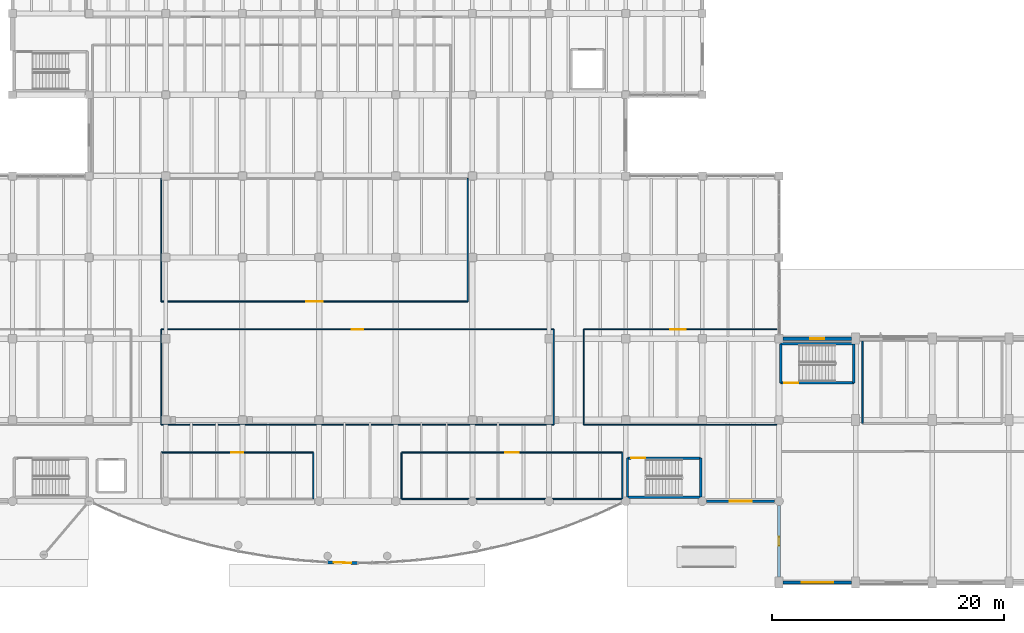
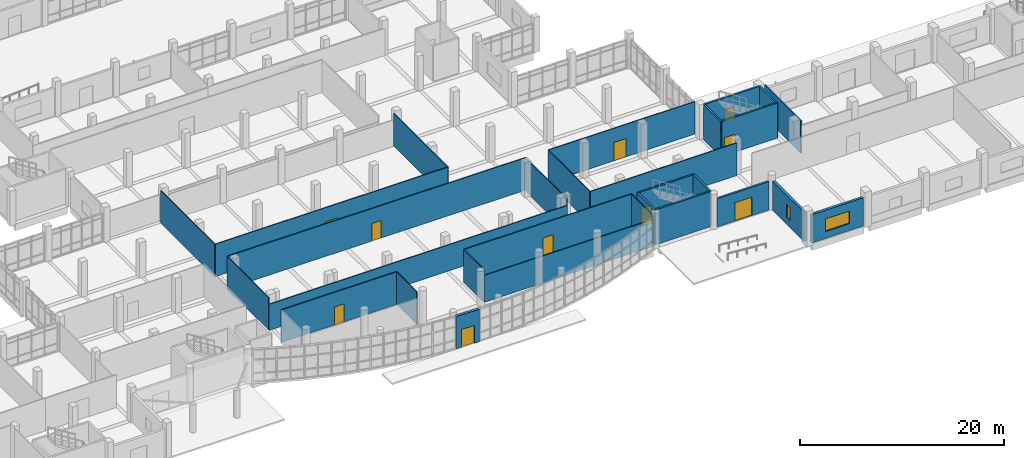
# One storey, part 46 of 69: 30 walls, 9 doors, 3 windows, 12 openings.
"""IFC4 building model written with IfcOpenShell, lengths in metres."""

from ifc_helpers import new_model, si_unit, direction, frame, frame_2d, origin, place, context, subcontext, project, spatial, rectangle, extrude, material, layer, layer_set, type_object, element, fill, save


model = new_model("IFC4")

# Units and contexts
model_context = context("Model", 3, precision=1e-05, world=origin(), true_north=direction((0.0, 1.0)))
body_context = subcontext(model_context, "Body", "Model", "MODEL_VIEW")
ifc_project = project(units=[si_unit("LENGTHUNIT", "METRE"), si_unit("AREAUNIT", "SQUARE_METRE"), si_unit("VOLUMEUNIT", "CUBIC_METRE"), si_unit("PLANEANGLEUNIT", "RADIAN"), si_unit("MASSUNIT", "GRAM", prefix="KILO")], contexts=[model_context])

# Site, building, storey
site_placement = place(None, origin())
site = spatial("IfcSite", under=ifc_project, at=site_placement, CompositionType="ELEMENT")
building_placement = place(site_placement, origin())
building = spatial("IfcBuilding", under=site, at=building_placement, Name="Ciguamira Faculty of Natural Sciences", CompositionType="ELEMENT")
storey_placement = place(building_placement, origin())
storey = spatial("IfcBuildingStorey", under=building, at=storey_placement, Name="L00", CompositionType="ELEMENT", Elevation=0.0)

# Wall, opening, window
ifc_material_1 = material(Name="Precast concrete C40/50", Category="concrete")
ifc_layer_1 = layer(ifc_material_1, 0.280029296875, Name="Precast concrete C40/50")
ifc_layer_set_1 = layer_set([ifc_layer_1], Name="Precast concrete C40/50")
wall_type_1 = type_object("IfcWallType", Name="ExtWall_EW-01_280", PredefinedType="SOLIDWALL", material=ifc_layer_set_1)
wall_1_placement = place(storey_placement, frame((123.64990234375, 3.0, 0.0), z_axis=(0.0, 0.0, 1.0), x_axis=(1.0, 0.0, 0.0)))
wall_1 = element("IfcWall", 1, at=wall_1_placement, inside=storey, type_object=wall_type_1, Name="L00 exterior wall 0071", PredefinedType="SOLIDWALL", context=body_context, shape_type="SweptSolid", body=[
    extrude(rectangle(XDim=5.900146484375, YDim=0.280029296875, at=frame_2d((2.9501953125, 0.0))), origin(), (0.0, 0.0, 1.0), 3.385009765625),
])
opening_1_placement = place(wall_1_placement, frame((1.60009765625, 0.0, 0.85009765625)))
opening_1 = element("IfcOpeningElement", 2, at=opening_1_placement, cuts=wall_1, Name="Opening WT-13", PredefinedType="OPENING", context=body_context, shape_type="SweptSolid", body=[
    extrude(rectangle(XDim=2.699951171875, YDim=1.5, at=frame_2d((1.35009765625, 0.75))), frame((0.0, 0.14990234375, 0.0), z_axis=(0.0, -1.0, 0.0), x_axis=(1.0, 0.0, 0.0)), (0.0, 0.0, 1.0), 0.300048828125),
])
ifc_material_2 = material(Name="Hurricane laminated solar glass", Category="glass")
window_type_1 = type_object("IfcWindowType", Name="Window_WT-13_2700x1500", PartitioningType="DOUBLE_PANEL_VERTICAL", PredefinedType="WINDOW", material=ifc_material_2)
window_1_placement = place(opening_1_placement, origin())
window_1 = element("IfcWindow", 3, at=window_1_placement, inside=storey, type_object=window_type_1, Name="L00 facade window 0003", OverallHeight=1.5, OverallWidth=2.699951171875, PartitioningType="SINGLE_PANEL", PredefinedType="WINDOW", context=body_context, shape_type="SweptSolid", body=[
    extrude(rectangle(XDim=2.699951171875, YDim=1.5, at=frame_2d((1.35009765625, 0.75))), frame((0.0, 0.030029296875, 0.0), z_axis=(0.0, -1.0, 0.0), x_axis=(1.0, 0.0, 0.0)), (0.0, 0.0, 1.0), 0.06005859375),
])
fill(opening_1, window_1)

wall_2_placement = place(storey_placement, frame((123.64990234375, 24.0, 0.0), z_axis=(0.0, 0.0, 1.0), x_axis=(1.0, 0.0, 0.0)))
wall_2 = element("IfcWall", 4, at=wall_2_placement, inside=storey, type_object=wall_type_1, Name="L00 exterior wall 0083", PredefinedType="SOLIDWALL", context=body_context, shape_type="SweptSolid", body=[
    extrude(rectangle(XDim=5.900146484375, YDim=0.280029296875, at=frame_2d((2.9501953125, 0.0))), origin(), (0.0, 0.0, 1.0), 3.385009765625),
])
opening_2_placement = place(wall_2_placement, frame((2.35009765625, 0.0, 0.85009765625)))
opening_2 = element("IfcOpeningElement", 5, at=opening_2_placement, cuts=wall_2, Name="Opening WT-08", PredefinedType="OPENING", context=body_context, shape_type="SweptSolid", body=[
    extrude(rectangle(XDim=1.199951171875, YDim=1.5, at=frame_2d((0.60009765625, 0.75))), frame((0.0, 0.14990234375, 0.0), z_axis=(0.0, -1.0, 0.0), x_axis=(1.0, 0.0, 0.0)), (0.0, 0.0, 1.0), 0.300048828125),
])
window_type_2 = type_object("IfcWindowType", Name="Window_WT-08_1200x1500", PartitioningType="DOUBLE_PANEL_VERTICAL", PredefinedType="WINDOW", material=ifc_material_2)
window_2_placement = place(opening_2_placement, origin())
window_2 = element("IfcWindow", 6, at=window_2_placement, inside=storey, type_object=window_type_2, Name="L00 facade window 0013", OverallHeight=1.5, OverallWidth=1.199951171875, PartitioningType="SINGLE_PANEL", PredefinedType="WINDOW", context=body_context, shape_type="SweptSolid", body=[
    extrude(rectangle(XDim=1.199951171875, YDim=1.5, at=frame_2d((0.60009765625, 0.75))), frame((0.0, 0.030029296875, 0.0), z_axis=(0.0, -1.0, 0.0), x_axis=(1.0, 0.0, 0.0)), (0.0, 0.0, 1.0), 0.06005859375),
])
fill(opening_2, window_2)

wall_3_placement = place(storey_placement, frame((123.300048828125, 3.47509765625, 0.0), z_axis=(0.0, 0.0, 1.0), x_axis=(0.0, 1.0, 0.0)))
wall_3 = element("IfcWall", 7, at=wall_3_placement, inside=storey, type_object=wall_type_1, Name="L00 exterior wall 0133", PredefinedType="SOLIDWALL", context=body_context, shape_type="SweptSolid", body=[
    extrude(rectangle(XDim=6.14990234375, YDim=0.280029296875, at=frame_2d((3.074951171875, 0.0))), origin(), (0.0, 0.0, 1.0), 3.5048828125),
])
opening_3_placement = place(wall_3_placement, frame((2.699951171875, 0.0, 0.85009765625)))
opening_3 = element("IfcOpeningElement", 8, at=opening_3_placement, cuts=wall_3, Name="Opening WT-35", PredefinedType="OPENING", context=body_context, shape_type="SweptSolid", body=[
    extrude(rectangle(XDim=0.75, YDim=1.550048828125, at=frame_2d((0.375, 0.77490234375))), frame((0.0, 0.14990234375, 0.0), z_axis=(0.0, -1.0, 0.0), x_axis=(1.0, 0.0, 0.0)), (0.0, 0.0, 1.0), 0.300048828125),
])
window_type_3 = type_object("IfcWindowType", Name="Window_WT-35_750x1550", PartitioningType="DOUBLE_PANEL_VERTICAL", PredefinedType="WINDOW", material=ifc_material_2)
window_3_placement = place(opening_3_placement, origin())
window_3 = element("IfcWindow", 9, at=window_3_placement, inside=storey, type_object=window_type_3, Name="L00 facade window 0050", OverallHeight=1.550048828125, OverallWidth=0.75, PartitioningType="SINGLE_PANEL", PredefinedType="WINDOW", context=body_context, shape_type="SweptSolid", body=[
    extrude(rectangle(XDim=0.75, YDim=1.550048828125, at=frame_2d((0.375, 0.77490234375))), frame((0.0, 0.030029296875, 0.0), z_axis=(0.0, -1.0, 0.0), x_axis=(1.0, 0.0, 0.0)), (0.0, 0.0, 1.0), 0.06005859375),
])
fill(opening_3, window_3)

# Wall, opening, door
wall_4_placement = place(storey_placement, frame((84.433349609375, 4.7412109375, 0.0), z_axis=(0.0, 0.0, 1.0), x_axis=(0.999703650964, -0.02434358743, 0.0)))
wall_4 = element("IfcWall", 10, at=wall_4_placement, inside=storey, type_object=wall_type_1, Name="L00 south arc arrival portal wall", PredefinedType="SOLIDWALL", context=body_context, shape_type="SweptSolid", body=[
    extrude(rectangle(XDim=2.5673828125, YDim=0.280029296875, at=frame_2d((1.28369140625, 0.0))), origin(), (0.0, 0.0, 1.0), 3.89990234375),
])
opening_4_placement = place(wall_4_placement, frame((0.53369140625, 0.0, 0.0)))
opening_4 = element("IfcOpeningElement", 11, at=opening_4_placement, cuts=wall_4, Name="Opening ED-09", PredefinedType="OPENING", context=body_context, shape_type="SweptSolid", body=[
    extrude(rectangle(XDim=1.5, YDim=2.14990234375, at=frame_2d((0.75, 1.074951171875))), frame((0.0, 0.14990234375, 0.0), z_axis=(0.0, -1.0, 0.0), x_axis=(1.0, 0.0, 0.0)), (0.0, 0.0, 1.0), 0.300048828125),
])
ifc_material_3 = material(Name="Court promenade entrance door")
door_type_1 = type_object("IfcDoorType", Name="ExtDoor_ED-09_1500x2150", OperationType="NOTDEFINED", PredefinedType="DOOR", material=ifc_material_3)
door_1_placement = place(opening_4_placement, frame((1.5, 0.0, 0.0), z_axis=(0.0, 0.0, 1.0), x_axis=(-1.0, 0.0, 0.0)))
door_1 = element("IfcDoor", 12, at=door_1_placement, inside=storey, type_object=door_type_1, Name="South Escarpment Canopy Entrance Door", OperationType="DOUBLE_DOOR_SINGLE_SWING", OverallHeight=2.14990234375, OverallWidth=1.5, PredefinedType="DOOR", context=body_context, shape_type="SweptSolid", body=[
    extrude(rectangle(XDim=1.5, YDim=2.14990234375, at=frame_2d((0.75, 1.074951171875))), frame((0.0, 0.02490234375, 0.0), z_axis=(0.0, -1.0, 0.0), x_axis=(1.0, 0.0, 0.0)), (0.0, 0.0, 1.0), 0.050048828125),
])
fill(opening_4, door_1)

ifc_layer_2 = layer(ifc_material_1, 0.219970703125, Name="Precast concrete C40/50")
ifc_layer_set_2 = layer_set([ifc_layer_2], Name="Precast concrete C40/50")
wall_type_2 = type_object("IfcWallType", Name="ExtWall_EW-03_220", PredefinedType="SOLIDWALL", material=ifc_layer_set_2)
wall_5_placement = place(storey_placement, frame((117.074951171875, 10.0, 0.0), z_axis=(0.0, 0.0, 1.0), x_axis=(1.0, 0.0, 0.0)))
wall_5 = element("IfcWall", 13, at=wall_5_placement, inside=storey, type_object=wall_type_2, Name="L00 exterior wall 0079", PredefinedType="SOLIDWALL", context=body_context, shape_type="SweptSolid", body=[
    extrude(rectangle(XDim=5.85009765625, YDim=0.219970703125, at=frame_2d((2.925048828125, 0.0))), origin(), (0.0, 0.0, 1.0), 3.385009765625),
])
opening_5_placement = place(wall_5_placement, frame((1.97509765625, 0.0, 0.0)))
opening_5 = element("IfcOpeningElement", 14, at=opening_5_placement, cuts=wall_5, Name="Opening ED-04", PredefinedType="OPENING", context=body_context, shape_type="SweptSolid", body=[
    extrude(rectangle(XDim=1.89990234375, YDim=2.199951171875, at=frame_2d((0.949951171875, 1.10009765625))), frame((0.0, 0.119873046875, 0.0), z_axis=(0.0, -1.0, 0.0), x_axis=(1.0, 0.0, 0.0)), (0.0, 0.0, 1.0), 0.239990234375),
])
ifc_material_4 = material(Name="Stair final exit discharge double door")
door_type_2 = type_object("IfcDoorType", Name="ExtDoor_ED-04_1900x2200", OperationType="NOTDEFINED", PredefinedType="DOOR", material=ifc_material_4)
door_2_placement = place(opening_5_placement, frame((1.89990234375, 0.0, 0.0), z_axis=(0.0, 0.0, 1.0), x_axis=(-1.0, 0.0, 0.0)))
door_2 = element("IfcDoor", 15, at=door_2_placement, inside=storey, type_object=door_type_2, Name="Atrium East Concourse Final Exit ED-06", OperationType="DOUBLE_DOOR_SINGLE_SWING", OverallHeight=2.199951171875, OverallWidth=1.89990234375, PredefinedType="DOOR", context=body_context, shape_type="SweptSolid", body=[
    extrude(rectangle(XDim=1.89990234375, YDim=2.199951171875, at=frame_2d((0.949951171875, 1.10009765625))), frame((0.0, 0.02490234375, 0.0), z_axis=(0.0, -1.0, 0.0), x_axis=(1.0, 0.0, 0.0)), (0.0, 0.0, 1.0), 0.050048828125),
])
fill(opening_5, door_2)

# Wall
ifc_material_5 = material(Name="Concrete C40/50", Category="concrete")
ifc_layer_3 = layer(ifc_material_5, 0.199951171875, Name="Concrete C40/50")
ifc_layer_set_3 = layer_set([ifc_layer_3], Name="Concrete C40/50")
wall_type_3 = type_object("IfcWallType", Name="IntWall_CW-S20_200", PredefinedType="SHEAR", material=ifc_layer_set_3)
wall_6_placement = place(storey_placement, frame((110.25, 10.35009765625, 0.0), z_axis=(0.0, 0.0, 1.0), x_axis=(1.0, 0.0, 0.0)))
element("IfcWall", 16, at=wall_6_placement, inside=storey, type_object=wall_type_3, Name="L00 ST-A2 core shear wall south", PredefinedType="SHEAR", context=body_context, shape_type="SweptSolid", body=[
    extrude(rectangle(XDim=6.300048828125, YDim=0.199951171875, at=frame_2d((3.14990234375, 0.0))), origin(), (0.0, 0.0, 1.0), 4.199951171875),
])

# Wall, opening, door
wall_7_placement = place(storey_placement, frame((110.25, 13.7099609375, 0.0), z_axis=(0.0, 0.0, 1.0), x_axis=(1.0, 0.0, 0.0)))
wall_7 = element("IfcWall", 17, at=wall_7_placement, inside=storey, type_object=wall_type_3, Name="L00 ST-A2 core shear wall north", PredefinedType="SHEAR", context=body_context, shape_type="SweptSolid", body=[
    extrude(rectangle(XDim=6.300048828125, YDim=0.199951171875, at=frame_2d((3.14990234375, 0.0))), origin(), (0.0, 0.0, 1.0), 4.199951171875),
])
opening_6_placement = place(wall_7_placement, frame((0.320068359375, 0.0, 0.0)))
opening_6 = element("IfcOpeningElement", 18, at=opening_6_placement, cuts=wall_7, Name="Opening ID-14", PredefinedType="OPENING", context=body_context, shape_type="SweptSolid", body=[
    extrude(rectangle(XDim=1.199951171875, YDim=2.14990234375, at=frame_2d((0.60009765625, 1.074951171875))), frame((0.0, 0.10986328125, 0.0), z_axis=(0.0, -1.0, 0.0), x_axis=(1.0, 0.0, 0.0)), (0.0, 0.0, 1.0), 0.219970703125),
])
ifc_material_6 = material(Name="Protected exit stair fire door")
door_type_3 = type_object("IfcDoorType", Name="IntDoor_ID-14_1200x2150", OperationType="NOTDEFINED", PredefinedType="DOOR", material=ifc_material_6)
door_3_placement = place(opening_6_placement, frame((1.199951171875, 0.0, 0.0), z_axis=(0.0, 0.0, 1.0), x_axis=(-1.0, 0.0, 0.0)))
door_3 = element("IfcDoor", 19, at=door_3_placement, inside=storey, type_object=door_type_3, Name="L00 ST-A2 exit stair fire door", OperationType="SINGLE_SWING_LEFT", OverallHeight=2.14990234375, OverallWidth=1.199951171875, PredefinedType="DOOR", context=body_context, shape_type="SweptSolid", body=[
    extrude(rectangle(XDim=1.199951171875, YDim=2.14990234375, at=frame_2d((0.60009765625, 1.074951171875))), frame((0.0, 0.02490234375, 0.0), z_axis=(0.0, -1.0, 0.0), x_axis=(1.0, 0.0, 0.0)), (0.0, 0.0, 1.0), 0.050048828125),
])
fill(opening_6, door_3)

# Walls
for number, where, z_axis, x_axis, name in (
    (20, (110.25, 10.35009765625, 0.0), (0.0, 0.0, 1.0), (0.0, 1.0, 0.0), "L00 ST-A2 core shear wall west"),
    (21, (116.550048828125, 10.35009765625, 0.0), (0.0, 0.0, 1.0), (0.0, 1.0, 0.0), "L00 ST-A2 core shear wall east"),
):
    element("IfcWall", number, at=place(storey_placement, frame(where, z_axis=z_axis, x_axis=x_axis)), inside=storey, type_object=wall_type_3, Name=name, PredefinedType="SHEAR", context=body_context, shape_type="SweptSolid", body=[
        extrude(rectangle(XDim=3.35986328125, YDim=0.199951171875, at=frame_2d((1.679931640625, 0.0))), origin(), (0.0, 0.0, 1.0), 4.199951171875),
    ])

# Wall, opening, door
wall_8_placement = place(storey_placement, frame((123.449951171875, 20.199951171875, 0.0), z_axis=(0.0, 0.0, 1.0), x_axis=(1.0, 0.0, 0.0)))
wall_8 = element("IfcWall", 22, at=wall_8_placement, inside=storey, type_object=wall_type_3, Name="L00 ST-L1 core shear wall south", PredefinedType="SHEAR", context=body_context, shape_type="SweptSolid", body=[
    extrude(rectangle(XDim=6.300048828125, YDim=0.199951171875, at=frame_2d((3.14990234375, 0.0))), origin(), (0.0, 0.0, 1.0), 4.199951171875),
])
opening_7_placement = place(wall_8_placement, frame((0.320068359375, 0.0, 0.0)))
opening_7 = element("IfcOpeningElement", 23, at=opening_7_placement, cuts=wall_8, Name="Opening ID-14", PredefinedType="OPENING", context=body_context, shape_type="SweptSolid", body=[
    extrude(rectangle(XDim=1.199951171875, YDim=2.14990234375, at=frame_2d((0.60009765625, 1.074951171875))), frame((0.0, 0.10986328125, 0.0), z_axis=(0.0, -1.0, 0.0), x_axis=(1.0, 0.0, 0.0)), (0.0, 0.0, 1.0), 0.219970703125),
])
door_4_placement = place(opening_7_placement, origin())
door_4 = element("IfcDoor", 24, at=door_4_placement, inside=storey, type_object=door_type_3, Name="L00 ST-L1 exit stair fire door", OperationType="SINGLE_SWING_RIGHT", OverallHeight=2.14990234375, OverallWidth=1.199951171875, PredefinedType="DOOR", context=body_context, shape_type="SweptSolid", body=[
    extrude(rectangle(XDim=1.199951171875, YDim=2.14990234375, at=frame_2d((0.60009765625, 1.074951171875))), frame((0.0, 0.02490234375, 0.0), z_axis=(0.0, -1.0, 0.0), x_axis=(1.0, 0.0, 0.0)), (0.0, 0.0, 1.0), 0.050048828125),
])
fill(opening_7, door_4)

# Walls
wall_9_placement = place(storey_placement, frame((123.449951171875, 23.56005859375, 0.0), z_axis=(0.0, 0.0, 1.0), x_axis=(1.0, 0.0, 0.0)))
element("IfcWall", 25, at=wall_9_placement, inside=storey, type_object=wall_type_3, Name="L00 ST-L1 core shear wall north", PredefinedType="SHEAR", context=body_context, shape_type="SweptSolid", body=[
    extrude(rectangle(XDim=6.300048828125, YDim=0.199951171875, at=frame_2d((3.14990234375, 0.0))), origin(), (0.0, 0.0, 1.0), 4.199951171875),
])
for number, where, z_axis, x_axis, name in (
    (26, (123.449951171875, 20.199951171875, 0.0), (0.0, 0.0, 1.0), (0.0, 1.0, 0.0), "L00 ST-L1 core shear wall west"),
    (27, (129.75, 20.199951171875, 0.0), (0.0, 0.0, 1.0), (0.0, 1.0, 0.0), "L00 ST-L1 core shear wall east"),
):
    element("IfcWall", number, at=place(storey_placement, frame(where, z_axis=z_axis, x_axis=x_axis)), inside=storey, type_object=wall_type_3, Name=name, PredefinedType="SHEAR", context=body_context, shape_type="SweptSolid", body=[
        extrude(rectangle(XDim=3.360107421875, YDim=0.199951171875, at=frame_2d((1.68017578125, 0.0))), origin(), (0.0, 0.0, 1.0), 4.199951171875),
    ])
ifc_material_7 = material(Name="Fire-rated gypsum partition")
ifc_layer_4 = layer(ifc_material_7, 0.10009765625, Name="Fire-rated gypsum partition")
ifc_layer_set_4 = layer_set([ifc_layer_4], Name="Fire-rated gypsum partition")
wall_type_4 = type_object("IfcWallType", Name="IntWall_IW-A10_100", PredefinedType="PARTITIONING", material=ifc_layer_set_4)
wall_10_placement = place(storey_placement, frame((70.10009765625, 16.60009765625, 0.0), z_axis=(0.0, 0.0, 1.0), x_axis=(1.0, 0.0, 0.0)))
element("IfcWall", 28, at=wall_10_placement, inside=storey, type_object=wall_type_4, Name="L00 Grand Sky-Lit Natural History Atrium Hall partition south", PredefinedType="PARTITIONING", context=body_context, shape_type="SweptSolid", body=[
    extrude(rectangle(XDim=33.7998046875, YDim=0.10009765625, at=frame_2d((16.89990234375, 0.0))), origin(), (0.0, 0.0, 1.0), 3.135009765625),
])

# Wall, opening, door
wall_11_placement = place(storey_placement, frame((70.10009765625, 24.800048828125, 0.0), z_axis=(0.0, 0.0, 1.0), x_axis=(1.0, 0.0, 0.0)))
wall_11 = element("IfcWall", 29, at=wall_11_placement, inside=storey, type_object=wall_type_4, Name="L00 Grand Sky-Lit Natural History Atrium Hall partition north", PredefinedType="PARTITIONING", context=body_context, shape_type="SweptSolid", body=[
    extrude(rectangle(XDim=33.7998046875, YDim=0.10009765625, at=frame_2d((16.89990234375, 0.0))), origin(), (0.0, 0.0, 1.0), 3.89990234375),
])
opening_8_placement = place(wall_11_placement, frame((16.39990234375, 0.0, 0.0)))
opening_8 = element("IfcOpeningElement", 30, at=opening_8_placement, cuts=wall_11, Name="Opening ID-03", PredefinedType="OPENING", context=body_context, shape_type="SweptSolid", body=[
    extrude(rectangle(XDim=1.0, YDim=2.10009765625, at=frame_2d((0.5, 1.050048828125))), frame((0.0, 0.06005859375, 0.0), z_axis=(0.0, -1.0, 0.0), x_axis=(1.0, 0.0, 0.0)), (0.0, 0.0, 1.0), 0.1201171875),
])
ifc_material_8 = material(Name="Restroom lobby fire door")
door_type_4 = type_object("IfcDoorType", Name="IntDoor_ID-03_1000x2100", OperationType="NOTDEFINED", PredefinedType="DOOR", material=ifc_material_8)
door_5_placement = place(opening_8_placement, frame((1.0, 0.0, 0.0), z_axis=(0.0, 0.0, 1.0), x_axis=(-1.0, 0.0, 0.0)))
door_5 = element("IfcDoor", 31, at=door_5_placement, inside=storey, type_object=door_type_4, Name="L00 Grand Sky-Lit Natural History Atrium Hall door", OperationType="SINGLE_SWING_RIGHT", OverallHeight=2.10009765625, OverallWidth=1.0, PredefinedType="DOOR", context=body_context, shape_type="SweptSolid", body=[
    extrude(rectangle(XDim=1.0, YDim=2.10009765625, at=frame_2d((0.5, 1.050048828125))), frame((0.0, 0.02490234375, 0.0), z_axis=(0.0, -1.0, 0.0), x_axis=(1.0, 0.0, 0.0)), (0.0, 0.0, 1.0), 0.050048828125),
])
fill(opening_8, door_5)

# Walls
for number, where, z_axis, x_axis, name in (
    (32, (70.10009765625, 16.60009765625, 0.0), (0.0, 0.0, 1.0), (0.0, 1.0, 0.0), "L00 Grand Sky-Lit Natural History Atrium Hall partition west"),
    (33, (103.89990234375, 16.60009765625, 0.0), (0.0, 0.0, 1.0), (0.0, 1.0, 0.0), "L00 Grand Sky-Lit Natural History Atrium Hall partition east"),
):
    element("IfcWall", number, at=place(storey_placement, frame(where, z_axis=z_axis, x_axis=x_axis)), inside=storey, type_object=wall_type_4, Name=name, PredefinedType="PARTITIONING", context=body_context, shape_type="SweptSolid", body=[
        extrude(rectangle(XDim=8.199951171875, YDim=0.10009765625, at=frame_2d((4.10009765625, 0.0))), origin(), (0.0, 0.0, 1.0), 3.89990234375),
    ])

# Wall, opening, door
wall_12_placement = place(storey_placement, frame((70.10009765625, 14.199951171875, 0.0), z_axis=(0.0, 0.0, 1.0), x_axis=(1.0, 0.0, 0.0)))
wall_12 = element("IfcWall", 34, at=wall_12_placement, inside=storey, type_object=wall_type_4, Name="L00 Caribbean Marine Fossil Exhibition Gallery partition north", PredefinedType="PARTITIONING", context=body_context, shape_type="SweptSolid", body=[
    extrude(rectangle(XDim=13.099853515625, YDim=0.10009765625, at=frame_2d((6.5498046875, 0.0))), origin(), (0.0, 0.0, 1.0), 3.89990234375),
])
opening_9_placement = place(wall_12_placement, frame((6.02490234375, 0.0, 0.0)))
opening_9 = element("IfcOpeningElement", 35, at=opening_9_placement, cuts=wall_12, Name="Opening ID-04", PredefinedType="OPENING", context=body_context, shape_type="SweptSolid", body=[
    extrude(rectangle(XDim=1.050048828125, YDim=2.14990234375, at=frame_2d((0.52490234375, 1.074951171875))), frame((0.0, 0.06005859375, 0.0), z_axis=(0.0, -1.0, 0.0), x_axis=(1.0, 0.0, 0.0)), (0.0, 0.0, 1.0), 0.1201171875),
])
ifc_material_9 = material(Name="Seminar acoustic single door")
door_type_5 = type_object("IfcDoorType", Name="IntDoor_ID-04_1050x2150", OperationType="NOTDEFINED", PredefinedType="DOOR", material=ifc_material_9)
door_6_placement = place(opening_9_placement, frame((1.050048828125, 0.0, 0.0), z_axis=(0.0, 0.0, 1.0), x_axis=(-1.0, 0.0, 0.0)))
door_6 = element("IfcDoor", 36, at=door_6_placement, inside=storey, type_object=door_type_5, Name="L00 Caribbean Marine Fossil Exhibition Gallery door", OperationType="SINGLE_SWING_LEFT", OverallHeight=2.14990234375, OverallWidth=1.050048828125, PredefinedType="DOOR", context=body_context, shape_type="SweptSolid", body=[
    extrude(rectangle(XDim=1.050048828125, YDim=2.14990234375, at=frame_2d((0.52490234375, 1.074951171875))), frame((0.0, 0.02490234375, 0.0), z_axis=(0.0, -1.0, 0.0), x_axis=(1.0, 0.0, 0.0)), (0.0, 0.0, 1.0), 0.050048828125),
])
fill(opening_9, door_6)

# Walls
wall_13_placement = place(storey_placement, frame((83.199951171875, 10.199951171875, 0.0), z_axis=(0.0, 0.0, 1.0), x_axis=(0.0, 1.0, 0.0)))
element("IfcWall", 37, at=wall_13_placement, inside=storey, type_object=wall_type_4, Name="L00 Caribbean Marine Fossil Exhibition Gallery partition east", PredefinedType="PARTITIONING", context=body_context, shape_type="SweptSolid", body=[
    extrude(rectangle(XDim=4.0, YDim=0.10009765625, at=frame_2d((2.0, 0.0))), origin(), (0.0, 0.0, 1.0), 3.89990234375),
])
wall_14_placement = place(storey_placement, frame((90.800048828125, 10.199951171875, 0.0), z_axis=(0.0, 0.0, 1.0), x_axis=(1.0, 0.0, 0.0)))
element("IfcWall", 38, at=wall_14_placement, inside=storey, type_object=wall_type_4, Name="L00 Student Cafe and Dining Lounge partition south", PredefinedType="PARTITIONING", context=body_context, shape_type="SweptSolid", body=[
    extrude(rectangle(XDim=19.0, YDim=0.10009765625, at=frame_2d((9.5, 0.0))), origin(), (0.0, 0.0, 1.0), 3.235107421875),
])

# Wall, opening, door
wall_15_placement = place(storey_placement, frame((90.800048828125, 14.199951171875, 0.0), z_axis=(0.0, 0.0, 1.0), x_axis=(1.0, 0.0, 0.0)))
wall_15 = element("IfcWall", 39, at=wall_15_placement, inside=storey, type_object=wall_type_4, Name="L00 Student Cafe and Dining Lounge partition north", PredefinedType="PARTITIONING", context=body_context, shape_type="SweptSolid", body=[
    extrude(rectangle(XDim=19.0, YDim=0.10009765625, at=frame_2d((9.5, 0.0))), origin(), (0.0, 0.0, 1.0), 3.89990234375),
])
opening_10_placement = place(wall_15_placement, frame((8.925048828125, 0.0, 0.0)))
opening_10 = element("IfcOpeningElement", 40, at=opening_10_placement, cuts=wall_15, Name="Opening ID-05", PredefinedType="OPENING", context=body_context, shape_type="SweptSolid", body=[
    extrude(rectangle(XDim=1.14990234375, YDim=2.14990234375, at=frame_2d((0.574951171875, 1.074951171875))), frame((0.0, 0.06005859375, 0.0), z_axis=(0.0, -1.0, 0.0), x_axis=(1.0, 0.0, 0.0)), (0.0, 0.0, 1.0), 0.1201171875),
])
ifc_material_10 = material(Name="Research office wide door")
door_type_6 = type_object("IfcDoorType", Name="IntDoor_ID-05_1150x2150", OperationType="NOTDEFINED", PredefinedType="DOOR", material=ifc_material_10)
door_7_placement = place(opening_10_placement, frame((1.14990234375, 0.0, 0.0), z_axis=(0.0, 0.0, 1.0), x_axis=(-1.0, 0.0, 0.0)))
door_7 = element("IfcDoor", 41, at=door_7_placement, inside=storey, type_object=door_type_6, Name="L00 Student Cafe and Dining Lounge door", OperationType="SINGLE_SWING_RIGHT", OverallHeight=2.14990234375, OverallWidth=1.14990234375, PredefinedType="DOOR", context=body_context, shape_type="SweptSolid", body=[
    extrude(rectangle(XDim=1.14990234375, YDim=2.14990234375, at=frame_2d((0.574951171875, 1.074951171875))), frame((0.0, 0.02490234375, 0.0), z_axis=(0.0, -1.0, 0.0), x_axis=(1.0, 0.0, 0.0)), (0.0, 0.0, 1.0), 0.050048828125),
])
fill(opening_10, door_7)

# Walls
for number, where, z_axis, x_axis, name in (
    (42, (90.800048828125, 10.199951171875, 0.0), (0.0, 0.0, 1.0), (0.0, 1.0, 0.0), "L00 Student Cafe and Dining Lounge partition west"),
    (43, (109.800048828125, 10.199951171875, 0.0), (0.0, 0.0, 1.0), (0.0, 1.0, 0.0), "L00 Student Cafe and Dining Lounge partition east"),
):
    element("IfcWall", number, at=place(storey_placement, frame(where, z_axis=z_axis, x_axis=x_axis)), inside=storey, type_object=wall_type_4, Name=name, PredefinedType="PARTITIONING", context=body_context, shape_type="SweptSolid", body=[
        extrude(rectangle(XDim=4.0, YDim=0.10009765625, at=frame_2d((2.0, 0.0))), origin(), (0.0, 0.0, 1.0), 3.89990234375),
    ])
wall_16_placement = place(storey_placement, frame((106.5, 16.60009765625, 0.0), z_axis=(0.0, 0.0, 1.0), x_axis=(1.0, 0.0, 0.0)))
element("IfcWall", 44, at=wall_16_placement, inside=storey, type_object=wall_type_4, Name="L00 Public Science Outreach Forum partition south", PredefinedType="PARTITIONING", context=body_context, shape_type="SweptSolid", body=[
    extrude(rectangle(XDim=16.60009765625, YDim=0.10009765625, at=frame_2d((8.300048828125, 0.0))), origin(), (0.0, 0.0, 1.0), 3.89990234375),
])

# Wall, opening, door
wall_17_placement = place(storey_placement, frame((106.5, 24.800048828125, 0.0), z_axis=(0.0, 0.0, 1.0), x_axis=(1.0, 0.0, 0.0)))
wall_17 = element("IfcWall", 45, at=wall_17_placement, inside=storey, type_object=wall_type_4, Name="L00 Public Science Outreach Forum partition north", PredefinedType="PARTITIONING", context=body_context, shape_type="SweptSolid", body=[
    extrude(rectangle(XDim=16.60009765625, YDim=0.10009765625, at=frame_2d((8.300048828125, 0.0))), origin(), (0.0, 0.0, 1.0), 3.89990234375),
])
opening_11_placement = place(wall_17_placement, frame((7.425048828125, 0.0, 0.0)))
opening_11 = element("IfcOpeningElement", 46, at=opening_11_placement, cuts=wall_17, Name="Opening ID-07", PredefinedType="OPENING", context=body_context, shape_type="SweptSolid", body=[
    extrude(rectangle(XDim=1.35009765625, YDim=2.199951171875, at=frame_2d((0.675048828125, 1.10009765625))), frame((0.0, 0.06005859375, 0.0), z_axis=(0.0, -1.0, 0.0), x_axis=(1.0, 0.0, 0.0)), (0.0, 0.0, 1.0), 0.1201171875),
])
ifc_material_11 = material(Name="Laboratory prep fire door")
door_type_7 = type_object("IfcDoorType", Name="IntDoor_ID-07_1350x2200", OperationType="NOTDEFINED", PredefinedType="DOOR", material=ifc_material_11)
door_8_placement = place(opening_11_placement, frame((1.35009765625, 0.0, 0.0), z_axis=(0.0, 0.0, 1.0), x_axis=(-1.0, 0.0, 0.0)))
door_8 = element("IfcDoor", 47, at=door_8_placement, inside=storey, type_object=door_type_7, Name="L00 Public Science Outreach Forum door", OperationType="SINGLE_SWING_RIGHT", OverallHeight=2.199951171875, OverallWidth=1.35009765625, PredefinedType="DOOR", context=body_context, shape_type="SweptSolid", body=[
    extrude(rectangle(XDim=1.35009765625, YDim=2.199951171875, at=frame_2d((0.675048828125, 1.10009765625))), frame((0.0, 0.02490234375, 0.0), z_axis=(0.0, -1.0, 0.0), x_axis=(1.0, 0.0, 0.0)), (0.0, 0.0, 1.0), 0.050048828125),
])
fill(opening_11, door_8)

# Wall
wall_18_placement = place(storey_placement, frame((106.5, 16.60009765625, 0.0), z_axis=(0.0, 0.0, 1.0), x_axis=(0.0, 1.0, 0.0)))
element("IfcWall", 48, at=wall_18_placement, inside=storey, type_object=wall_type_4, Name="L00 Public Science Outreach Forum partition west", PredefinedType="PARTITIONING", context=body_context, shape_type="SweptSolid", body=[
    extrude(rectangle(XDim=8.199951171875, YDim=0.10009765625, at=frame_2d((4.10009765625, 0.0))), origin(), (0.0, 0.0, 1.0), 3.89990234375),
])

# Wall, opening, door
wall_19_placement = place(storey_placement, frame((70.10009765625, 27.199951171875, 0.0), z_axis=(0.0, 0.0, 1.0), x_axis=(1.0, 0.0, 0.0)))
wall_19 = element("IfcWall", 49, at=wall_19_placement, inside=storey, type_object=wall_type_4, Name="L00 Faculty Admissions and Student Services partition south", PredefinedType="PARTITIONING", context=body_context, shape_type="SweptSolid", body=[
    extrude(rectangle(XDim=26.39990234375, YDim=0.10009765625, at=frame_2d((13.199951171875, 0.0))), origin(), (0.0, 0.0, 1.0), 3.89990234375),
])
opening_12_placement = place(wall_19_placement, frame((12.47509765625, 0.0, 0.0)))
opening_12 = element("IfcOpeningElement", 50, at=opening_12_placement, cuts=wall_19, Name="Opening ID-08", PredefinedType="OPENING", context=body_context, shape_type="SweptSolid", body=[
    extrude(rectangle(XDim=1.449951171875, YDim=2.199951171875, at=frame_2d((0.72509765625, 1.10009765625))), frame((0.0, 0.06005859375, 0.0), z_axis=(0.0, -1.0, 0.0), x_axis=(1.0, 0.0, 0.0)), (0.0, 0.0, 1.0), 0.1201171875),
])
ifc_material_12 = material(Name="Wet chemistry laboratory door")
door_type_8 = type_object("IfcDoorType", Name="IntDoor_ID-08_1450x2200", OperationType="NOTDEFINED", PredefinedType="DOOR", material=ifc_material_12)
door_9_placement = place(opening_12_placement, origin())
door_9 = element("IfcDoor", 51, at=door_9_placement, inside=storey, type_object=door_type_8, Name="L00 Faculty Admissions and Student Services door", OperationType="SINGLE_SWING_LEFT", OverallHeight=2.199951171875, OverallWidth=1.449951171875, PredefinedType="DOOR", context=body_context, shape_type="SweptSolid", body=[
    extrude(rectangle(XDim=1.449951171875, YDim=2.199951171875, at=frame_2d((0.72509765625, 1.10009765625))), frame((0.0, 0.02490234375, 0.0), z_axis=(0.0, -1.0, 0.0), x_axis=(1.0, 0.0, 0.0)), (0.0, 0.0, 1.0), 0.050048828125),
])
fill(opening_12, door_9)

# Walls
for number, where, z_axis, x_axis, name in (
    (52, (70.10009765625, 27.199951171875, 0.0), (0.0, 0.0, 1.0), (0.0, 1.0, 0.0), "L00 Faculty Admissions and Student Services partition west"),
    (53, (96.5, 27.199951171875, 0.0), (0.0, 0.0, 1.0), (0.0, 1.0, 0.0), "L00 Faculty Admissions and Student Services partition east"),
):
    element("IfcWall", number, at=place(storey_placement, frame(where, z_axis=z_axis, x_axis=x_axis)), inside=storey, type_object=wall_type_4, Name=name, PredefinedType="PARTITIONING", context=body_context, shape_type="SweptSolid", body=[
        extrude(rectangle(XDim=10.60009765625, YDim=0.10009765625, at=frame_2d((5.300048828125, 0.0))), origin(), (0.0, 0.0, 1.0), 3.89990234375),
    ])
ifc_material_13 = material(Name="Moisture-resistant service chase wall")
ifc_layer_5 = layer(ifc_material_13, 0.139892578125, Name="Moisture-resistant service chase wall")
ifc_layer_set_5 = layer_set([ifc_layer_5], Name="Moisture-resistant service chase wall")
wall_type_5 = type_object("IfcWallType", Name="IntWall_IW-P14_140", PredefinedType="PLUMBINGWALL", material=ifc_layer_set_5)
wall_20_placement = place(storey_placement, frame((130.5, 16.699951171875, 0.0), z_axis=(0.0, 0.0, 1.0), x_axis=(0.0, 1.0, 0.0)))
element("IfcWall", 54, at=wall_20_placement, inside=storey, type_object=wall_type_5, Name="L00 Audio Visual Preparation Room partition west", PredefinedType="PLUMBINGWALL", context=body_context, shape_type="SweptSolid", body=[
    extrude(rectangle(XDim=7.10009765625, YDim=0.139892578125, at=frame_2d((3.550048828125, 0.0))), origin(), (0.0, 0.0, 1.0), 3.89990234375),
])

save(model, "model.ifc")
